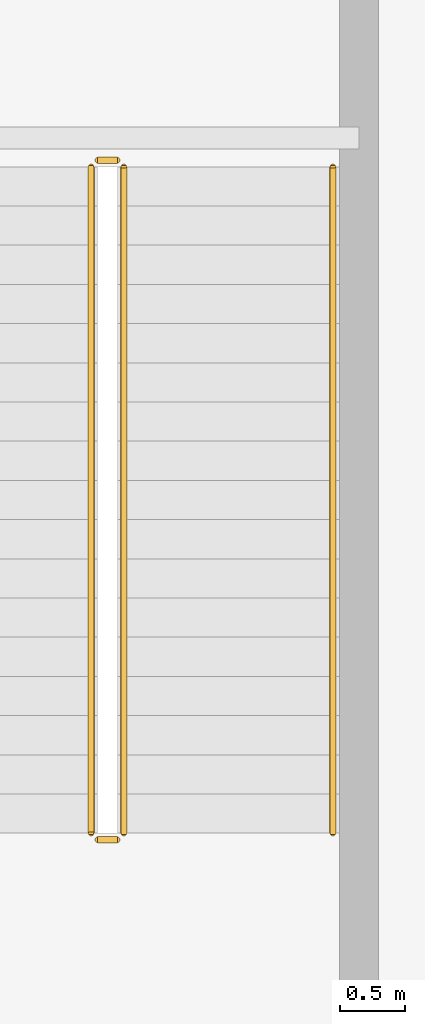
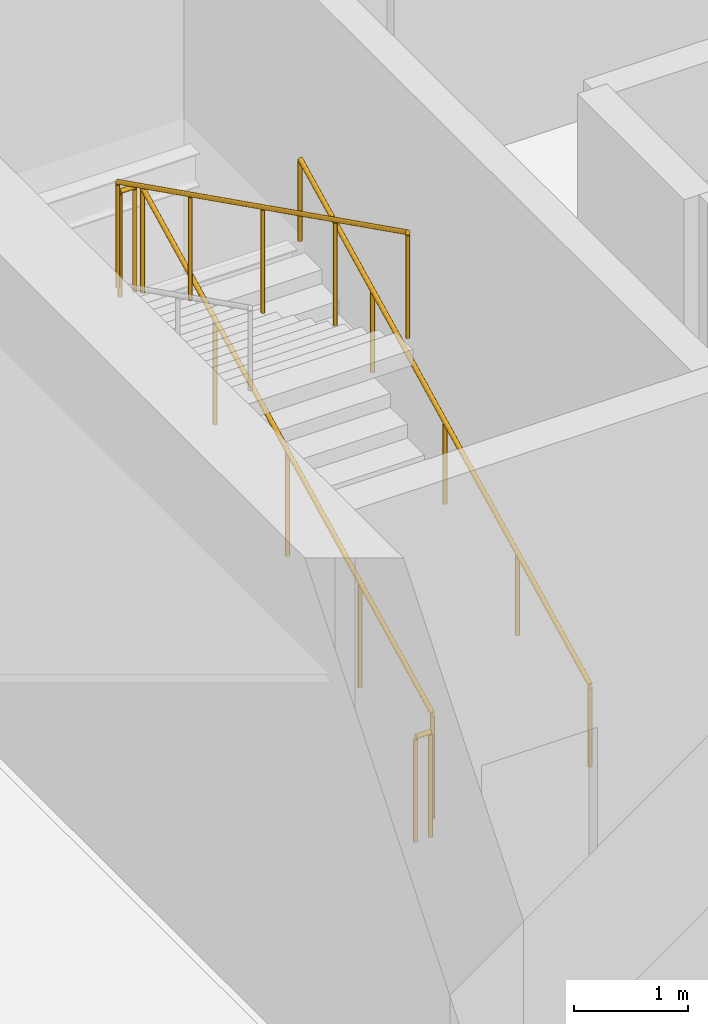
# One storey, part 27 of 35: 5 railings.
"""IFC4 building model written with IfcOpenShell, lengths in metres."""

from ifc_helpers import new_model, si_unit, direction, frame, origin, origin_2d, place, context, subcontext, project, spatial, circle, extrude, material, type_object, element, save


model = new_model("IFC4")

# Units and contexts
model_context = context("Model", 3, precision=1e-05, world=origin(), true_north=direction((0.0, 1.0)))
body_context = subcontext(model_context, "Body", "Model", "MODEL_VIEW")
ifc_project = project(units=[si_unit("LENGTHUNIT", "METRE"), si_unit("AREAUNIT", "SQUARE_METRE"), si_unit("VOLUMEUNIT", "CUBIC_METRE"), si_unit("PLANEANGLEUNIT", "RADIAN"), si_unit("MASSUNIT", "GRAM", prefix="KILO")], contexts=[model_context])

# Site, building, storey
site_placement = place(None, origin())
site = spatial("IfcSite", under=ifc_project, at=site_placement, CompositionType="ELEMENT")
building_placement = place(site_placement, origin())
building = spatial("IfcBuilding", under=site, at=building_placement, Name="Punatoya Terracotta Tower", CompositionType="ELEMENT")
storey_placement = place(building_placement, frame((0.0, 0.0, 16.800048828125)))
storey = spatial("IfcBuildingStorey", under=building, at=storey_placement, Name="L03", CompositionType="ELEMENT", Elevation=16.800048828125)

# Railings
ifc_material = material(Name="Steel S355", Category="steel")
railing_type_1 = type_object("IfcRailingType", Name="RLG-GRD-1150", PredefinedType="GUARDRAIL", material=ifc_material)
railing_1_placement = place(storey_placement, frame((-7.85009765625, -3.800048828125, 0.14990234375)))
element("IfcRailing", 1, at=railing_1_placement, inside=storey, type_object=railing_type_1, Name="L03 ST-1 stair guard 1", PredefinedType="GUARDRAIL", context=body_context, shape_type="SweptSolid", body=[
    extrude(circle(Radius=0.02392578125, at=origin_2d()), frame((0.0, 0.0, 1.1259765625), z_axis=(0.0, 0.894427191, 0.4472135955), x_axis=(-1.0, 0.0, 0.0)), (0.0, 0.0, 1.0), 5.7021484375),
    extrude(circle(Radius=0.02099609375, at=origin_2d()), origin(), (0.0, 0.0, 1.0), 1.101806640625),
    extrude(circle(Radius=0.02099609375, at=origin_2d()), frame((0.0, 1.27490234375, 0.637451171875)), (0.0, 0.0, 1.0), 1.101806640625),
    extrude(circle(Radius=0.02099609375, at=origin_2d()), frame((0.0, 2.550048828125, 1.27490234375)), (0.0, 0.0, 1.0), 1.101806640625),
    extrude(circle(Radius=0.02099609375, at=origin_2d()), frame((0.0, 3.8251953125, 1.91259765625)), (0.0, 0.0, 1.0), 1.101806640625),
    extrude(circle(Radius=0.02099609375, at=origin_2d()), frame((0.0, 5.10009765625, 2.550048828125)), (0.0, 0.0, 1.0), 1.101806640625),
])
railing_2_placement = place(storey_placement, frame((-7.89990234375, 1.35009765625, 2.699951171875)))
element("IfcRailing", 2, at=railing_2_placement, inside=storey, type_object=railing_type_1, Name="L03 ST-1 stair guard 2", PredefinedType="GUARDRAIL", context=body_context, shape_type="SweptSolid", body=[
    extrude(circle(Radius=0.02392578125, at=origin_2d()), frame((0.0, 0.0, 1.1259765625), z_axis=(-1.0, 0.0, 0.0), x_axis=(0.0, -1.0, 0.0)), (0.0, 0.0, 1.0), 0.150146484375),
    extrude(circle(Radius=0.02099609375, at=origin_2d()), origin(), (0.0, 0.0, 1.0), 1.101806640625),
    extrude(circle(Radius=0.02099609375, at=origin_2d()), frame((-0.150146484375, 0.0, 0.0)), (0.0, 0.0, 1.0), 1.101806640625),
])
railing_3_placement = place(storey_placement, frame((-8.10009765625, 1.300048828125, 2.849853515625)))
element("IfcRailing", 3, at=railing_3_placement, inside=storey, type_object=railing_type_1, Name="L03 ST-1 stair guard 3", PredefinedType="GUARDRAIL", context=body_context, shape_type="SweptSolid", body=[
    extrude(circle(Radius=0.02392578125, at=origin_2d()), frame((0.0, 0.0, 1.1259765625), z_axis=(0.0, -0.894427191, 0.4472135955), x_axis=(1.0, 0.0, 0.0)), (0.0, 0.0, 1.0), 5.7021484375),
    extrude(circle(Radius=0.02099609375, at=origin_2d()), origin(), (0.0, 0.0, 1.0), 1.101806640625),
    extrude(circle(Radius=0.02099609375, at=origin_2d()), frame((0.0, -1.27490234375, 0.637451171875)), (0.0, 0.0, 1.0), 1.101806640625),
    extrude(circle(Radius=0.02099609375, at=origin_2d()), frame((0.0, -2.550048828125, 1.27490234375)), (0.0, 0.0, 1.0), 1.101806640625),
    extrude(circle(Radius=0.02099609375, at=origin_2d()), frame((0.0, -3.8251953125, 1.91259765625)), (0.0, 0.0, 1.0), 1.101806640625),
    extrude(circle(Radius=0.02099609375, at=origin_2d()), frame((0.0, -5.10009765625, 2.550048828125)), (0.0, 0.0, 1.0), 1.101806640625),
])
railing_4_placement = place(storey_placement, frame((-7.89990234375, -3.85009765625, 0.0)))
element("IfcRailing", 4, at=railing_4_placement, inside=storey, type_object=railing_type_1, Name="L03 ST-1 stair guard 4", PredefinedType="GUARDRAIL", context=body_context, shape_type="SweptSolid", body=[
    extrude(circle(Radius=0.02392578125, at=origin_2d()), frame((0.0, 0.0, 1.1259765625), z_axis=(-1.0, 0.0, 0.0), x_axis=(0.0, -1.0, 0.0)), (0.0, 0.0, 1.0), 0.150146484375),
    extrude(circle(Radius=0.02099609375, at=origin_2d()), origin(), (0.0, 0.0, 1.0), 1.101806640625),
    extrude(circle(Radius=0.02099609375, at=origin_2d()), frame((-0.150146484375, 0.0, 0.0)), (0.0, 0.0, 1.0), 1.101806640625),
])
railing_type_2 = type_object("IfcRailingType", Name="RLG-HND-900", PredefinedType="HANDRAIL", material=ifc_material)
railing_5_placement = place(storey_placement, frame((-6.25, -3.800048828125, 0.14990234375)))
element("IfcRailing", 5, at=railing_5_placement, inside=storey, type_object=railing_type_2, Name="L03 ST-1 stair handrail 1", PredefinedType="HANDRAIL", context=body_context, shape_type="SweptSolid", body=[
    extrude(circle(Radius=0.02392578125, at=origin_2d()), frame((0.0, 0.0, 0.8759765625), z_axis=(0.0, 0.894427191, 0.4472135955), x_axis=(-1.0, 0.0, 0.0)), (0.0, 0.0, 1.0), 5.7021484375),
    extrude(circle(Radius=0.02099609375, at=origin_2d()), origin(), (0.0, 0.0, 1.0), 0.851806640625),
    extrude(circle(Radius=0.02099609375, at=origin_2d()), frame((0.0, 1.27490234375, 0.637451171875)), (0.0, 0.0, 1.0), 0.851806640625),
    extrude(circle(Radius=0.02099609375, at=origin_2d()), frame((0.0, 2.550048828125, 1.27490234375)), (0.0, 0.0, 1.0), 0.851806640625),
    extrude(circle(Radius=0.02099609375, at=origin_2d()), frame((0.0, 3.8251953125, 1.91259765625)), (0.0, 0.0, 1.0), 0.851806640625),
    extrude(circle(Radius=0.02099609375, at=origin_2d()), frame((0.0, 5.10009765625, 2.550048828125)), (0.0, 0.0, 1.0), 0.851806640625),
])

save(model, "model.ifc")
